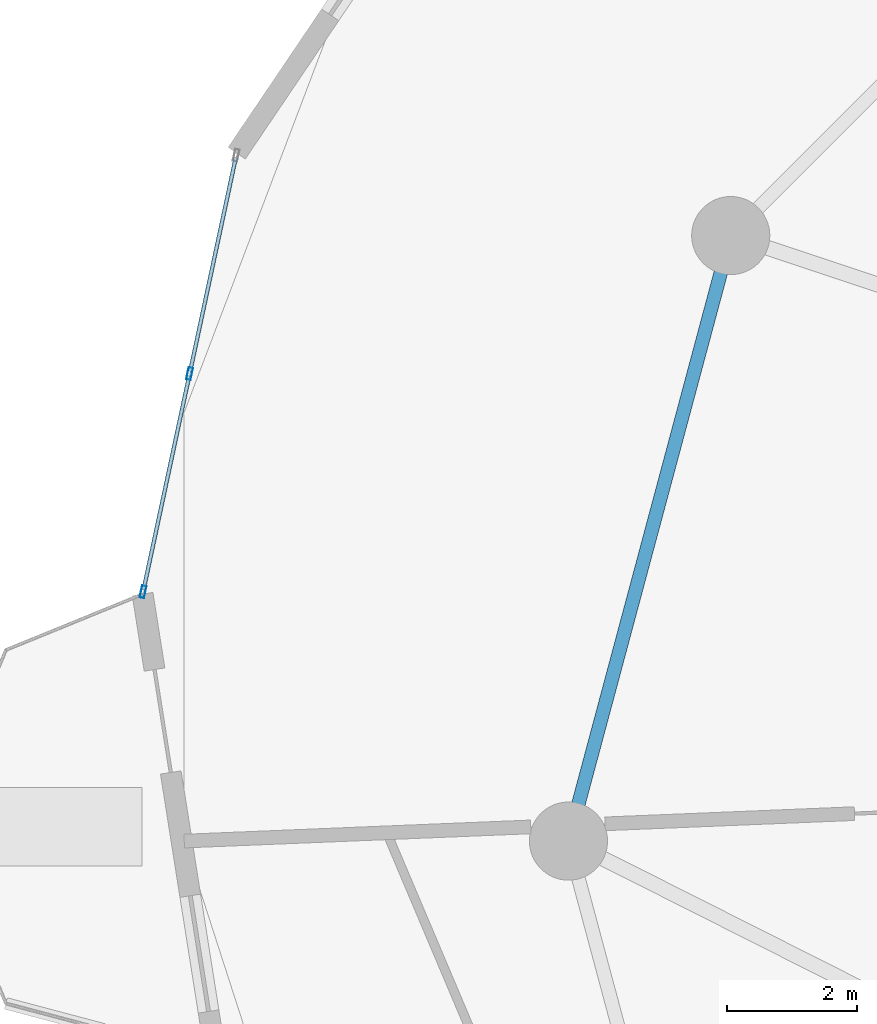
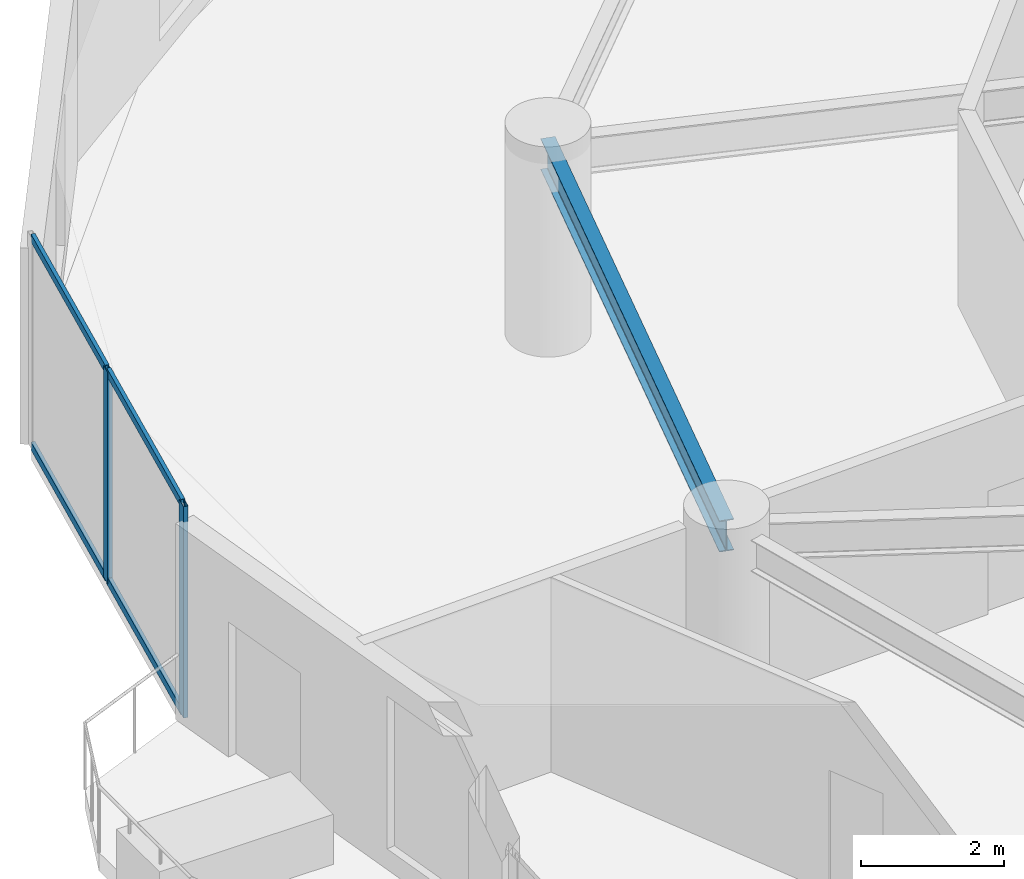
# One storey, part 7 of 24: 6 members, 1 beam, 1 element without a shape of its own.
"""IFC4 building model written with IfcOpenShell, lengths in metres."""

from ifc_helpers import new_model, si_unit, direction, frame, origin, origin_2d, place, context, subcontext, project, spatial, hollow_rectangle, i_section, extrude, source, transform, mapped, material, layer, layer_set, material_profile, profile_set, type_object, element, aggregate, save


model = new_model("IFC4")

# Units and contexts
model_context = context("Model", 3, precision=1e-05, world=origin(), true_north=direction((0.0, 1.0)))
body_context = subcontext(model_context, "Body", "Model", "MODEL_VIEW")
ifc_project = project(units=[si_unit("LENGTHUNIT", "METRE"), si_unit("AREAUNIT", "SQUARE_METRE"), si_unit("VOLUMEUNIT", "CUBIC_METRE"), si_unit("PLANEANGLEUNIT", "RADIAN"), si_unit("MASSUNIT", "GRAM", prefix="KILO")], contexts=[model_context])

# Site, building, storey
site_placement = place(None, origin())
site = spatial("IfcSite", under=ifc_project, at=site_placement, CompositionType="ELEMENT")
building_placement = place(site_placement, origin())
building = spatial("IfcBuilding", under=site, at=building_placement, Name="Solvirekh Grand Hotel", CompositionType="ELEMENT")
storey_placement = place(building_placement, frame((0.0, 0.0, 82.39990234375)))
storey = spatial("IfcBuildingStorey", under=building, at=storey_placement, Name="L20", CompositionType="ELEMENT", Elevation=82.39990234375)

# Beam
ifc_material_1 = material(Name="Steel S355", Category="steel")
ifc_material_profile_1 = material_profile(ifc_material_1, i_section(OverallWidth=0.208984375, OverallDepth=0.532958984375, WebThickness=0.010009765625, FlangeThickness=0.014892578125, FilletRadius=0.013916015625, at=origin_2d()), Name="W530X92")
ifc_profile_set_1 = profile_set([ifc_material_profile_1], Name="Steel S355")
beam_type = type_object("IfcBeamType", Name="Spandrel_Ring_W530", PredefinedType="SPANDREL", material=ifc_profile_set_1)
beam_placement = place(storey_placement, frame((-16.10791015625, 9.300048828125, 3.07421875), z_axis=(-0.258842973314, -0.965919414426, 0.0), x_axis=(0.965919414426, -0.258842973314, 0.0)))
element("IfcBeam", 1, at=beam_placement, inside=storey, type_object=beam_type, Name="L20 perimeter spandrel beam 6", PredefinedType="SPANDREL", context=body_context, shape_type="SweptSolid", body=[
    extrude(i_section(OverallWidth=0.208984375, OverallDepth=0.532958984375, WebThickness=0.010009765625, FlangeThickness=0.014892578125, FilletRadius=0.013916015625, at=origin_2d()), origin(), (0.0, 0.0, 1.0), 9.628173828125),
])

# Curtain wall, members
ifc_material_2 = material(Name="Anodized Bronze Aluminium 6063-T6", Category="aluminium")
ifc_layer = layer(ifc_material_2, 0.18994140625)
ifc_layer_set = layer_set([ifc_layer], Name="Anodized Bronze Aluminium 6063-T6")
curtain_wall_type = type_object("IfcCurtainWallType", Name="CW_Sys2_LowZoneFlushBronzeCW", PredefinedType="NOTDEFINED", material=ifc_layer_set)
curtain_wall_placement = place(storey_placement, origin())
curtain_wall = element("IfcCurtainWall", 2, at=curtain_wall_placement, inside=storey, type_object=curtain_wall_type, Name="L20 unitised bronze-glass curtain wall CW-L20-C11", PredefinedType="NOTDEFINED")
ifc_material_profile_2 = material_profile(ifc_material_2, hollow_rectangle(XDim=0.070068359375, YDim=0.18994140625, WallThickness=0.0048828125, at=origin_2d()), Name="ALU RHS 190X70X5")
ifc_profile_set_2 = profile_set([ifc_material_profile_2], Name="Anodized Bronze Aluminium 6063-T6")
member_type_1 = type_object("IfcMemberType", Name="CWMullion_Sys2", PredefinedType="MULLION", material=ifc_profile_set_2)
shared_shape_1 = source(origin(), body_context, "Body", "SweptSolid", [
    extrude(hollow_rectangle(XDim=0.070068359375, YDim=0.18994140625, WallThickness=0.0048828125, at=origin_2d()), origin(), (0.0, 0.0, 1.0), 3.60009765625),
])
member_1_placement = place(storey_placement, frame((-24.41845703125, 7.180419921875, 0.0), z_axis=(0.0, 0.0, 1.0), x_axis=(0.97799008642, -0.208651362001, 0.0)))
member_1 = element("IfcMember", 3, at=member_1_placement, type_object=member_type_1, Name="U02 mullion 2", PredefinedType="MULLION", context=body_context, shape_type="MappedRepresentation", body=[
    mapped(shared_shape_1, transform((0.0, 0.0, 0.0), x_axis=(1.0, 0.0, 0.0), y_axis=(0.0, 1.0, 0.0), z_axis=(0.0, 0.0, 1.0), scale=1.0)),
])
member_2_placement = place(storey_placement, frame((-25.1337890625, 3.828125, 0.0), z_axis=(0.0, 0.0, 1.0), x_axis=(0.97799008642, -0.208651362001, 0.0)))
member_2 = element("IfcMember", 4, at=member_2_placement, type_object=member_type_1, Name="U02 mullion 3", PredefinedType="MULLION", context=body_context, shape_type="MappedRepresentation", body=[
    mapped(shared_shape_1, transform((0.0, 0.0, 0.0), x_axis=(1.0, 0.0, 0.0), y_axis=(0.0, 1.0, 0.0), z_axis=(0.0, 0.0, 1.0), scale=1.0)),
])
ifc_material_profile_3 = material_profile(ifc_material_2, hollow_rectangle(XDim=0.06005859375, YDim=0.135009765625, WallThickness=0.00390625, at=origin_2d()), Name="ALU RHS 135X60X4")
ifc_profile_set_3 = profile_set([ifc_material_profile_3], Name="Anodized Bronze Aluminium 6063-T6")
member_type_2 = type_object("IfcMemberType", Name="CWTransom_Sys2", PredefinedType="USERDEFINED", material=ifc_profile_set_3)
shared_shape_2 = source(origin(), body_context, "Body", "SweptSolid", [
    extrude(hollow_rectangle(XDim=0.06005859375, YDim=0.135009765625, WallThickness=0.00390625, at=origin_2d()), origin(), (0.0, 0.0, 1.0), 3.357666015625),
])
member_3_placement = place(storey_placement, frame((-23.710693359375, 10.49853515625, 0.030029296875), z_axis=(-0.208615288923, -0.977997781811, 0.0), x_axis=(0.977997781811, -0.208615288923, 0.0)))
member_3 = element("IfcMember", 5, at=member_3_placement, type_object=member_type_2, Name="U02 transom 1.1", ObjectType="TRANSOM", PredefinedType="USERDEFINED", context=body_context, shape_type="MappedRepresentation", body=[
    mapped(shared_shape_2, transform((0.0, 0.0, 0.0), x_axis=(1.0, 0.0, 0.0), y_axis=(0.0, 1.0, 0.0), z_axis=(0.0, 0.0, 1.0), scale=1.0)),
])
member_4_placement = place(storey_placement, frame((-23.710693359375, 10.49853515625, 3.570068359375), z_axis=(-0.208615288923, -0.977997781811, 0.0), x_axis=(0.977997781811, -0.208615288923, 0.0)))
member_4 = element("IfcMember", 6, at=member_4_placement, type_object=member_type_2, Name="U02 transom 1.2", ObjectType="TRANSOM", PredefinedType="USERDEFINED", context=body_context, shape_type="MappedRepresentation", body=[
    mapped(shared_shape_2, transform((0.0, 0.0, 0.0), x_axis=(1.0, 0.0, 0.0), y_axis=(0.0, 1.0, 0.0), z_axis=(0.0, 0.0, 1.0), scale=1.0)),
])
member_5_placement = place(storey_placement, frame((-24.42578125, 7.146240234375, 0.030029296875), z_axis=(-0.20868483641, -0.977982944152, 0.0), x_axis=(0.977982944152, -0.20868483641, 0.0)))
member_5 = element("IfcMember", 7, at=member_5_placement, type_object=member_type_2, Name="U02 transom 2.1", ObjectType="TRANSOM", PredefinedType="USERDEFINED", context=body_context, shape_type="MappedRepresentation", body=[
    mapped(shared_shape_2, transform((0.0, 0.0, 0.0), x_axis=(1.0, 0.0, 0.0), y_axis=(0.0, 1.0, 0.0), z_axis=(0.0, 0.0, 1.0), scale=1.0)),
])
member_6_placement = place(storey_placement, frame((-24.42578125, 7.146240234375, 3.570068359375), z_axis=(-0.20868483641, -0.977982944152, 0.0), x_axis=(0.977982944152, -0.20868483641, 0.0)))
member_6 = element("IfcMember", 8, at=member_6_placement, type_object=member_type_2, Name="U02 transom 2.2", ObjectType="TRANSOM", PredefinedType="USERDEFINED", context=body_context, shape_type="MappedRepresentation", body=[
    mapped(shared_shape_2, transform((0.0, 0.0, 0.0), x_axis=(1.0, 0.0, 0.0), y_axis=(0.0, 1.0, 0.0), z_axis=(0.0, 0.0, 1.0), scale=1.0)),
])
aggregate(curtain_wall, [member_1, member_2, member_3, member_4, member_5, member_6])

save(model, "model.ifc")
